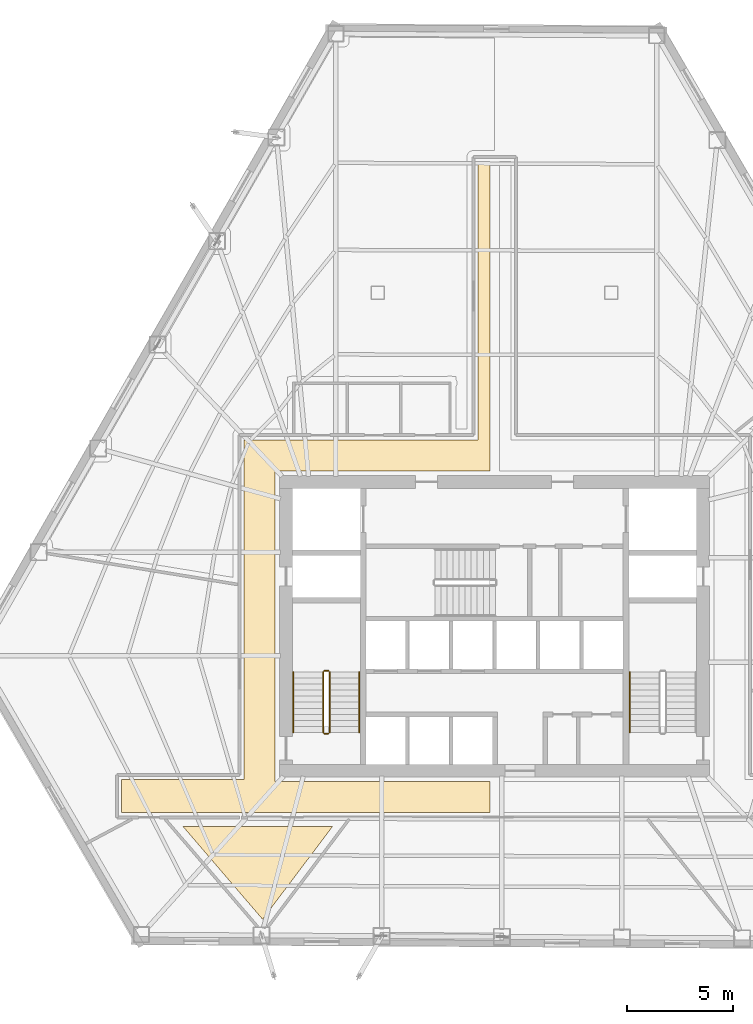
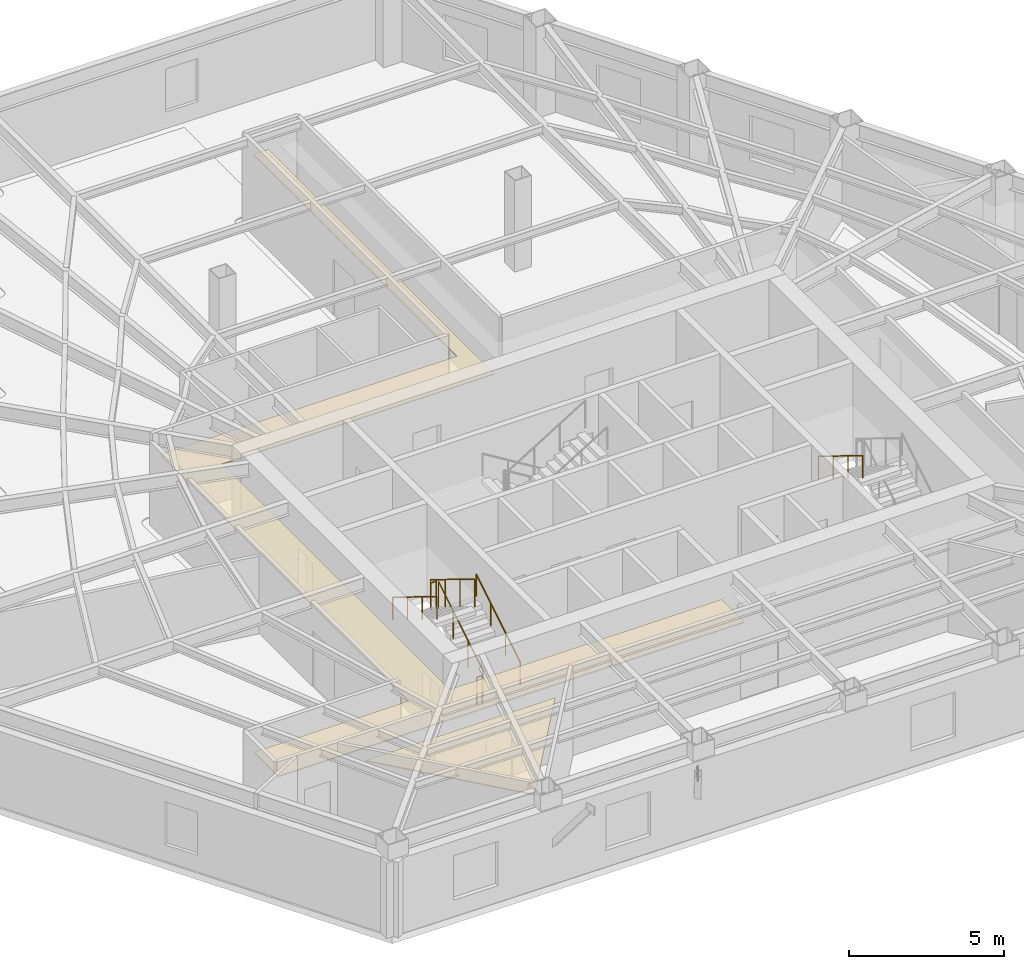
# One storey, part 10 of 12: 7 railings, 2 coverings.
"""IFC4 building model written with IfcOpenShell, lengths in metres."""

from ifc_helpers import new_model, si_unit, direction, frame, origin, origin_2d, place, context, subcontext, project, spatial, polyline, circle, outline, extrude, material, layer, layer_set, type_object, element, save


model = new_model("IFC4")

# Units and contexts
model_context = context("Model", 3, precision=1e-05, world=origin(), true_north=direction((0.0, 1.0)))
body_context = subcontext(model_context, "Body", "Model", "MODEL_VIEW")
ifc_project = project(units=[si_unit("LENGTHUNIT", "METRE"), si_unit("AREAUNIT", "SQUARE_METRE"), si_unit("VOLUMEUNIT", "CUBIC_METRE"), si_unit("PLANEANGLEUNIT", "RADIAN"), si_unit("MASSUNIT", "GRAM", prefix="KILO")], contexts=[model_context])

# Site, building, storey
site_placement = place(None, origin())
site = spatial("IfcSite", under=ifc_project, at=site_placement, CompositionType="ELEMENT")
building_placement = place(site_placement, origin())
building = spatial("IfcBuilding", under=site, at=building_placement, Name="Kavelnor Concourse Tower", CompositionType="ELEMENT")
storey_placement = place(building_placement, frame((0.0, 0.0, 44.5)))
storey = spatial("IfcBuildingStorey", under=building, at=storey_placement, Name="L11", CompositionType="ELEMENT", Elevation=44.5)

# Coverings
ifc_material_1 = material(Name="Mineral fibre acoustic ceiling tile")
ifc_layer = layer(ifc_material_1, 0.0400390625, Name="Mineral fibre acoustic ceiling tile")
ifc_layer_set = layer_set([ifc_layer], Name="Mineral fibre acoustic ceiling tile")
covering_type = type_object("IfcCoveringType", Name="COV-CEILING-ACOUSTIC", PredefinedType="CEILING", material=ifc_layer_set)
covering_1_placement = place(storey_placement, frame((0.0, 0.0, 2.75)))
element("IfcCovering", 1, at=covering_1_placement, inside=storey, type_object=covering_type, Name="L11 Suspended Acoustic Ceiling", PredefinedType="CEILING", context=body_context, shape_type="SweptSolid", body=[
    extrude(outline(polyline([(37.219970703125, 37.97998046875), (37.77490234375, 37.97998046875), (37.77490234375, 23.419921875), (27.659912109375, 23.419921875), (27.659912109375, 8.780029296875), (37.77490234375, 8.780029296875), (37.77490234375, 7.320068359375), (20.442626953125, 7.320068359375), (20.442626953125, 8.8798828125), (26.199951171875, 8.8798828125), (26.199951171875, 24.8798828125), (37.219970703125, 24.8798828125), (37.219970703125, 37.97998046875)])), origin(), (0.0, 0.0, 1.0), 0.0400390625),
])
covering_2_placement = place(storey_placement, frame((0.0, 0.0, 2.75)))
element("IfcCovering", 2, at=covering_2_placement, inside=storey, type_object=covering_type, Name="L11 Suspended Acoustic Ceiling", PredefinedType="CEILING", context=body_context, shape_type="SweptSolid", body=[
    extrude(outline(polyline([(26.030029296875, 6.680419921875), (26.03857421875, 6.67919921875), (26.07177734375, 6.677490234375), (30.375732421875, 6.677490234375), (27.078857421875, 2.3046875), (27.07421875, 2.3046875), (23.32177734375, 6.677490234375), (25.98828125, 6.677490234375), (26.021484375, 6.67919921875), (26.030029296875, 6.680419921875)])), origin(), (0.0, 0.0, 1.0), 0.0400390625),
])

# Railings
ifc_material_2 = material(Name="Steel Grade 350", Category="steel")
railing_type_1 = type_object("IfcRailingType", Name="RLG-GUARD-1100", PredefinedType="GUARDRAIL", material=ifc_material_2)
railing_1_placement = place(storey_placement, frame((30.22998046875, 11.10009765625, 0.175048828125)))
element("IfcRailing", 3, at=railing_1_placement, inside=storey, type_object=railing_type_1, Name="L11 ST1 stair guard 1", PredefinedType="GUARDRAIL", context=body_context, shape_type="SweptSolid", body=[
    extrude(circle(Radius=0.02392578125, at=origin_2d()), frame((0.0, 0.0, 1.076171875), z_axis=(0.0, 0.852159232446, 0.523282564737), x_axis=(-1.0, 0.0, 0.0)), (0.0, 0.0, 1.0), 3.34423828125),
    extrude(circle(Radius=0.02099609375, at=origin_2d()), origin(), (0.0, 0.0, 1.0), 1.052001953125),
    extrude(circle(Radius=0.02099609375, at=origin_2d()), frame((0.0, 0.949951171875, 0.583251953125)), (0.0, 0.0, 1.0), 1.052001953125),
    extrude(circle(Radius=0.02099609375, at=origin_2d()), frame((0.0, 1.89990234375, 1.166748046875)), (0.0, 0.0, 1.0), 1.052001953125),
    extrude(circle(Radius=0.02099609375, at=origin_2d()), frame((0.0, 2.849853515625, 1.75)), (0.0, 0.0, 1.0), 1.052001953125),
])
railing_2_placement = place(storey_placement, frame((30.179931640625, 14.0, 1.925048828125)))
element("IfcRailing", 4, at=railing_2_placement, inside=storey, type_object=railing_type_1, Name="L11 ST1 stair guard 2", PredefinedType="GUARDRAIL", context=body_context, shape_type="SweptSolid", body=[
    extrude(circle(Radius=0.02392578125, at=origin_2d()), frame((0.0, 0.0, 1.076171875), z_axis=(-1.0, 0.0, 0.0), x_axis=(0.0, -1.0, 0.0)), (0.0, 0.0, 1.0), 0.199951171875),
    extrude(circle(Radius=0.02099609375, at=origin_2d()), origin(), (0.0, 0.0, 1.0), 1.052001953125),
    extrude(circle(Radius=0.02099609375, at=origin_2d()), frame((-0.199951171875, 0.0, 0.0)), (0.0, 0.0, 1.0), 1.052001953125),
])
railing_3_placement = place(storey_placement, frame((29.929931640625, 13.949951171875, 2.10009765625)))
element("IfcRailing", 5, at=railing_3_placement, inside=storey, type_object=railing_type_1, Name="L11 ST1 stair guard 3", PredefinedType="GUARDRAIL", context=body_context, shape_type="SweptSolid", body=[
    extrude(circle(Radius=0.02392578125, at=origin_2d()), frame((0.0, 0.0, 1.076171875), z_axis=(0.0, -0.852159232446, 0.523282564737), x_axis=(1.0, 0.0, 0.0)), (0.0, 0.0, 1.0), 3.34423828125),
    extrude(circle(Radius=0.02099609375, at=origin_2d()), origin(), (0.0, 0.0, 1.0), 1.052001953125),
    extrude(circle(Radius=0.02099609375, at=origin_2d()), frame((0.0, -0.949951171875, 0.583251953125)), (0.0, 0.0, 1.0), 1.052001953125),
    extrude(circle(Radius=0.02099609375, at=origin_2d()), frame((0.0, -1.89990234375, 1.166748046875)), (0.0, 0.0, 1.0), 1.052001953125),
    extrude(circle(Radius=0.02099609375, at=origin_2d()), frame((0.0, -2.849853515625, 1.75)), (0.0, 0.0, 1.0), 1.052001953125),
])
railing_4_placement = place(storey_placement, frame((30.179931640625, 11.050048828125, 0.0)))
element("IfcRailing", 6, at=railing_4_placement, inside=storey, type_object=railing_type_1, Name="L11 ST1 stair guard 4", PredefinedType="GUARDRAIL", context=body_context, shape_type="SweptSolid", body=[
    extrude(circle(Radius=0.02392578125, at=origin_2d()), frame((0.0, 0.0, 1.076171875), z_axis=(-1.0, 0.0, 0.0), x_axis=(0.0, -1.0, 0.0)), (0.0, 0.0, 1.0), 0.199951171875),
    extrude(circle(Radius=0.02099609375, at=origin_2d()), origin(), (0.0, 0.0, 1.0), 1.052001953125),
    extrude(circle(Radius=0.02099609375, at=origin_2d()), frame((-0.199951171875, 0.0, 0.0)), (0.0, 0.0, 1.0), 1.052001953125),
])
railing_type_2 = type_object("IfcRailingType", Name="RLG-HANDRAIL-900", PredefinedType="HANDRAIL", material=ifc_material_2)
railing_5_placement = place(storey_placement, frame((31.6298828125, 11.10009765625, 0.175048828125)))
element("IfcRailing", 7, at=railing_5_placement, inside=storey, type_object=railing_type_2, Name="L11 ST1 stair handrail 1", PredefinedType="HANDRAIL", context=body_context, shape_type="SweptSolid", body=[
    extrude(circle(Radius=0.02392578125, at=origin_2d()), frame((0.0, 0.0, 0.8759765625), z_axis=(0.0, 0.852159232446, 0.523282564737), x_axis=(-1.0, 0.0, 0.0)), (0.0, 0.0, 1.0), 3.34423828125),
    extrude(circle(Radius=0.02099609375, at=origin_2d()), origin(), (0.0, 0.0, 1.0), 0.851806640625),
    extrude(circle(Radius=0.02099609375, at=origin_2d()), frame((0.0, 0.949951171875, 0.583251953125)), (0.0, 0.0, 1.0), 0.851806640625),
    extrude(circle(Radius=0.02099609375, at=origin_2d()), frame((0.0, 1.89990234375, 1.166748046875)), (0.0, 0.0, 1.0), 0.851806640625),
    extrude(circle(Radius=0.02099609375, at=origin_2d()), frame((0.0, 2.849853515625, 1.75)), (0.0, 0.0, 1.0), 0.851806640625),
])
for number, where, name in (
    (8, (28.530029296875, 13.949951171875, 2.10009765625), "L11 ST1 stair handrail 2"),
    (9, (44.3701171875, 13.949951171875, 2.10009765625), "L11 ST2 stair handrail 2"),
):
    element("IfcRailing", number, at=place(storey_placement, frame(where)), inside=storey, type_object=railing_type_2, Name=name, PredefinedType="HANDRAIL", context=body_context, shape_type="SweptSolid", body=[
        extrude(circle(Radius=0.02392578125, at=origin_2d()), frame((0.0, 0.0, 0.8759765625), z_axis=(0.0, -0.852159232446, 0.523282564737), x_axis=(1.0, 0.0, 0.0)), (0.0, 0.0, 1.0), 3.34423828125),
        extrude(circle(Radius=0.02099609375, at=origin_2d()), origin(), (0.0, 0.0, 1.0), 0.851806640625),
        extrude(circle(Radius=0.02099609375, at=origin_2d()), frame((0.0, -0.949951171875, 0.583251953125)), (0.0, 0.0, 1.0), 0.851806640625),
        extrude(circle(Radius=0.02099609375, at=origin_2d()), frame((0.0, -1.89990234375, 1.166748046875)), (0.0, 0.0, 1.0), 0.851806640625),
        extrude(circle(Radius=0.02099609375, at=origin_2d()), frame((0.0, -2.849853515625, 1.75)), (0.0, 0.0, 1.0), 0.851806640625),
    ])

save(model, "model.ifc")
